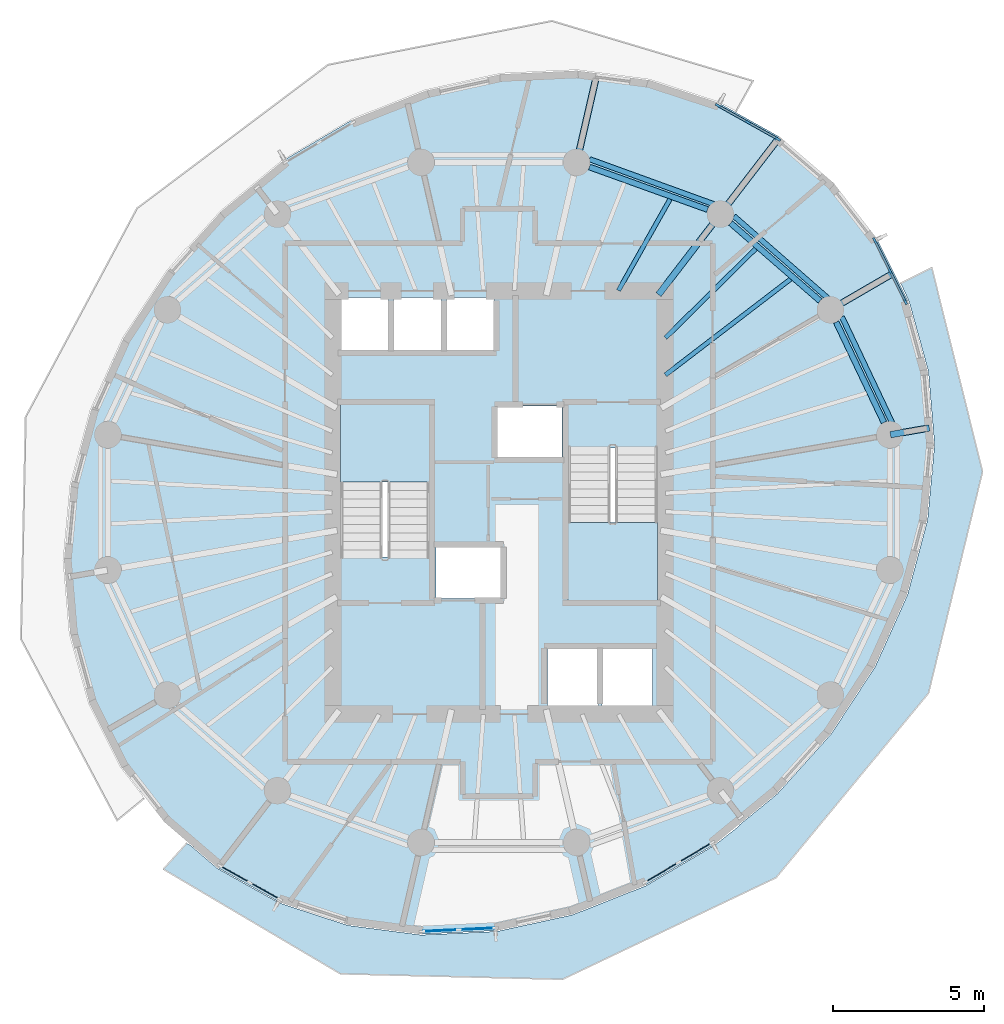
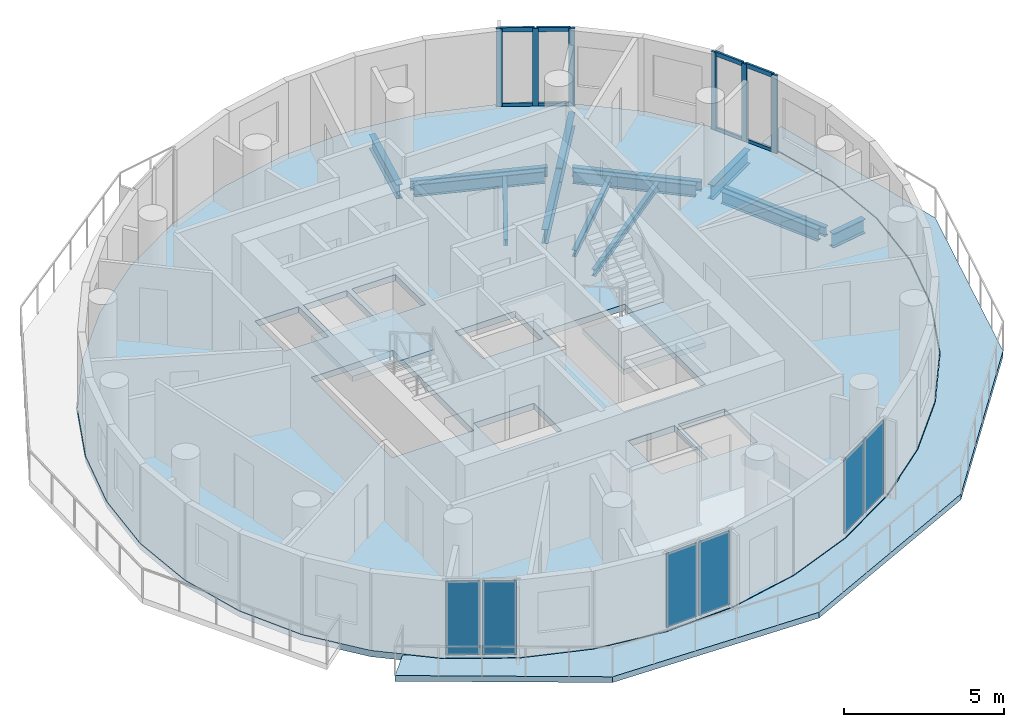
# One storey, part 3 of 10: 14 beams, 14 members, 6 plates, 4 slabs, 7 elements without a shape of their own.
"""IFC4 building model written with IfcOpenShell, lengths in metres."""

from ifc_helpers import new_model, si_unit, direction, frame, origin, origin_2d, place, context, subcontext, project, spatial, polyline, rectangle, i_section, outline, extrude, material, layer, layer_set, material_profile, profile_set, type_object, element, aggregate, save


model = new_model("IFC4")

# Units and contexts
model_context = context("Model", 3, precision=1e-05, world=origin(), true_north=direction((0.0, 1.0)))
body_context = subcontext(model_context, "Body", "Model", "MODEL_VIEW")
ifc_project = project(units=[si_unit("LENGTHUNIT", "METRE"), si_unit("AREAUNIT", "SQUARE_METRE"), si_unit("VOLUMEUNIT", "CUBIC_METRE"), si_unit("PLANEANGLEUNIT", "RADIAN"), si_unit("MASSUNIT", "GRAM", prefix="KILO")], contexts=[model_context])

# Site, building, storey
site_placement = place(None, origin())
site = spatial("IfcSite", under=ifc_project, at=site_placement, CompositionType="ELEMENT")
building_placement = place(site_placement, origin())
building = spatial("IfcBuilding", under=site, at=building_placement, Name="Veldorim Arch Residences", CompositionType="ELEMENT")
storey_placement = place(building_placement, frame((0.0, 0.0, 182.239990234375)))
storey = spatial("IfcBuildingStorey", under=building, at=storey_placement, Name="L54", CompositionType="ELEMENT", Elevation=182.239990234375)

# Beams
ifc_material_1 = material(Name="Steel S355", Category="steel")
ifc_material_profile_1 = material_profile(ifc_material_1, i_section(OverallWidth=0.2119140625, OverallDepth=0.54443359375, WebThickness=0.0126953125, FlangeThickness=0.021240234375, at=origin_2d()), Name="UB533x210x122")
ifc_profile_set_1 = profile_set([ifc_material_profile_1], Name="Steel S355")
beam_type_1 = type_object("IfcBeamType", Name="Structural Steel Beam UB533x210x122", PredefinedType="BEAM", material=ifc_profile_set_1)
beam_1_placement = place(storey_placement, frame((44.966064453125, 26.242919921875, -0.51220703125), z_axis=(0.985349902199, 0.170544921461, 0.0), x_axis=(-0.170544921461, 0.985349902199, 0.0)))
element("IfcBeam", 1, at=beam_1_placement, inside=storey, type_object=beam_type_1, Name="L54 radial edge cantilever girder 01", PredefinedType="BEAM", context=body_context, shape_type="SweptSolid", body=[
    extrude(i_section(OverallWidth=0.2119140625, OverallDepth=0.54443359375, WebThickness=0.0126953125, FlangeThickness=0.021240234375, at=origin_2d()), origin(), (0.0, 0.0, 1.0), 1.306884765625),
])
beam_2_placement = place(storey_placement, frame((42.99267578125, 30.387939453125, -0.51220703125), z_axis=(0.86459242159, 0.50247382472, 0.0), x_axis=(-0.50247382472, 0.86459242159, 0.0)))
element("IfcBeam", 2, at=beam_2_placement, inside=storey, type_object=beam_type_1, Name="L54 radial edge cantilever girder 02", PredefinedType="BEAM", context=body_context, shape_type="SweptSolid", body=[
    extrude(i_section(OverallWidth=0.2119140625, OverallDepth=0.54443359375, WebThickness=0.0126953125, FlangeThickness=0.021240234375, at=origin_2d()), origin(), (0.0, 0.0, 1.0), 2.315185546875),
])
beam_3_placement = place(storey_placement, frame((37.28662109375, 30.881103515625, -0.51220703125), z_axis=(0.609258442308, 0.792971721108, 0.0), x_axis=(-0.792971721108, 0.609258442308, 0.0)))
element("IfcBeam", 3, at=beam_3_placement, inside=storey, type_object=beam_type_1, Name="L54 radial floor girder 03", PredefinedType="BEAM", context=body_context, shape_type="SweptSolid", body=[
    extrude(i_section(OverallWidth=0.2119140625, OverallDepth=0.54443359375, WebThickness=0.0126953125, FlangeThickness=0.021240234375, at=origin_2d()), origin(), (0.0, 0.0, 1.0), 3.339599609375),
])
beam_4_placement = place(storey_placement, frame((39.345703125, 33.561279296875, -0.51220703125), z_axis=(0.609273468497, 0.792960175914, 0.0), x_axis=(-0.792960175914, 0.609273468497, 0.0)))
element("IfcBeam", 4, at=beam_4_placement, inside=storey, type_object=beam_type_1, Name="L54 radial edge cantilever girder 03", PredefinedType="BEAM", context=body_context, shape_type="SweptSolid", body=[
    extrude(i_section(OverallWidth=0.2119140625, OverallDepth=0.54443359375, WebThickness=0.0126953125, FlangeThickness=0.021240234375, at=origin_2d()), origin(), (0.0, 0.0, 1.0), 3.103515625),
])
beam_5_placement = place(storey_placement, frame((34.57958984375, 35.27880859375, -0.51220703125), z_axis=(0.222932038034, 0.974833989158, 0.0), x_axis=(-0.974833989158, 0.222932038034, 0.0)))
element("IfcBeam", 5, at=beam_5_placement, inside=storey, type_object=beam_type_1, Name="L54 radial edge cantilever girder 04", PredefinedType="BEAM", context=body_context, shape_type="SweptSolid", body=[
    extrude(i_section(OverallWidth=0.2119140625, OverallDepth=0.54443359375, WebThickness=0.0126953125, FlangeThickness=0.021240234375, at=origin_2d()), origin(), (0.0, 0.0, 1.0), 2.9052734375),
])
ifc_material_2 = material(Name="Steel S355", Category="steel")
ifc_material_profile_2 = material_profile(ifc_material_2, i_section(OverallWidth=0.146484375, OverallDepth=0.256103515625, WebThickness=0.00634765625, FlangeThickness=0.010986328125, at=origin_2d()), Name="UB254x146x37")
ifc_profile_set_2 = profile_set([ifc_material_profile_2], Name="Steel S355")
beam_type_2 = type_object("IfcBeamType", Name="Structural Steel Joist UB254x146x37", PredefinedType="JOIST", material=ifc_profile_set_2)
beam_6_placement = place(storey_placement, frame((37.515869140625, 28.222900390625, -0.367919921875), z_axis=(0.794013672216, 0.607899899929, 0.0), x_axis=(-0.607899899929, 0.794013672216, 0.0)))
element("IfcBeam", 6, at=beam_6_placement, inside=storey, type_object=beam_type_2, Name="L54 secondary radial floor joist 02-1", PredefinedType="JOIST", context=body_context, shape_type="SweptSolid", body=[
    extrude(i_section(OverallWidth=0.146484375, OverallDepth=0.256103515625, WebThickness=0.00634765625, FlangeThickness=0.010986328125, at=origin_2d()), origin(), (0.0, 0.0, 1.0), 5.217041015625),
])
beam_7_placement = place(storey_placement, frame((37.51416015625, 29.44775390625, -0.367919921875), z_axis=(0.711396725432, 0.702790650937, 0.0), x_axis=(-0.702790650937, 0.711396725432, 0.0)))
element("IfcBeam", 7, at=beam_7_placement, inside=storey, type_object=beam_type_2, Name="L54 secondary radial floor joist 02-2", PredefinedType="JOIST", context=body_context, shape_type="SweptSolid", body=[
    extrude(i_section(OverallWidth=0.146484375, OverallDepth=0.256103515625, WebThickness=0.00634765625, FlangeThickness=0.010986328125, at=origin_2d()), origin(), (0.0, 0.0, 1.0), 4.198486328125),
])
beam_8_placement = place(storey_placement, frame((35.960205078125, 31.017333984375, -0.367919921875), z_axis=(0.491452469585, 0.870904397818, 0.0), x_axis=(-0.870904397818, 0.491452469585, 0.0)))
element("IfcBeam", 8, at=beam_8_placement, inside=storey, type_object=beam_type_2, Name="L54 secondary radial floor joist 03-1", PredefinedType="JOIST", context=body_context, shape_type="SweptSolid", body=[
    extrude(i_section(OverallWidth=0.146484375, OverallDepth=0.256103515625, WebThickness=0.00634765625, FlangeThickness=0.010986328125, at=origin_2d()), origin(), (0.0, 0.0, 1.0), 3.472412109375),
])
ifc_material_3 = material(Name="Steel S355", Category="steel")
ifc_material_profile_3 = material_profile(ifc_material_3, i_section(OverallWidth=0.172119140625, OverallDepth=0.35791015625, WebThickness=0.008056640625, FlangeThickness=0.012939453125, at=origin_2d()), Name="UB356x171x57")
ifc_profile_set_3 = profile_set([ifc_material_profile_3], Name="Steel S355")
beam_type_3 = type_object("IfcBeamType", Name="Structural Steel Spandrel UB356x171x57", PredefinedType="SPANDREL", material=ifc_profile_set_3)
beam_9_placement = place(storey_placement, frame((45.0205078125, 26.6396484375, -0.43896484375), z_axis=(-0.428408308939, 0.903585259304, 0.0), x_axis=(-0.903585259304, -0.428408308939, 0.0)))
element("IfcBeam", 9, at=beam_9_placement, inside=storey, type_object=beam_type_3, Name="L54 perimeter chord spandrel beam 01", PredefinedType="SPANDREL", context=body_context, shape_type="SweptSolid", body=[
    extrude(i_section(OverallWidth=0.172119140625, OverallDepth=0.35791015625, WebThickness=0.008056640625, FlangeThickness=0.012939453125, at=origin_2d()), origin(), (0.0, 0.0, 1.0), 3.878662109375),
])
beam_10_placement = place(storey_placement, frame((42.891357421875, 30.762939453125, -0.43896484375), z_axis=(-0.752847646119, 0.6581948205, 0.0), x_axis=(-0.6581948205, -0.752847646119, 0.0)))
element("IfcBeam", 10, at=beam_10_placement, inside=storey, type_object=beam_type_3, Name="L54 perimeter chord spandrel beam 02", PredefinedType="SPANDREL", context=body_context, shape_type="SweptSolid", body=[
    extrude(i_section(OverallWidth=0.172119140625, OverallDepth=0.35791015625, WebThickness=0.008056640625, FlangeThickness=0.012939453125, at=origin_2d()), origin(), (0.0, 0.0, 1.0), 4.12939453125),
])
beam_11_placement = place(storey_placement, frame((39.112060546875, 33.87646484375, -0.43896484375), z_axis=(-0.940164695555, 0.340720332871, 0.0), x_axis=(-0.340720332871, -0.940164695555, 0.0)))
element("IfcBeam", 11, at=beam_11_placement, inside=storey, type_object=beam_type_3, Name="L54 perimeter chord spandrel beam 03", PredefinedType="SPANDREL", context=body_context, shape_type="SweptSolid", body=[
    extrude(i_section(OverallWidth=0.172119140625, OverallDepth=0.35791015625, WebThickness=0.008056640625, FlangeThickness=0.012939453125, at=origin_2d()), origin(), (0.0, 0.0, 1.0), 4.370849609375),
])
ifc_material_4 = material(Name="Steel S355", Category="steel")
ifc_material_profile_4 = material_profile(ifc_material_4, i_section(OverallWidth=0.19140625, OverallDepth=0.4599609375, WebThickness=0.010009765625, FlangeThickness=0.01611328125, at=origin_2d()), Name="UB457x191x82")
ifc_profile_set_4 = profile_set([ifc_material_profile_4], Name="Steel S355")
beam_type_4 = type_object("IfcBeamType", Name="Structural Steel Spandrel UB457x191x82", PredefinedType="SPANDREL", material=ifc_profile_set_4)
beam_12_placement = place(storey_placement, frame((44.7529296875, 26.64599609375, -0.469970703125), z_axis=(-0.430005613988, 0.902826213586, 0.0), x_axis=(-0.902826213586, -0.430005613988, 0.0)))
element("IfcBeam", 12, at=beam_12_placement, inside=storey, type_object=beam_type_4, Name="L54 perimeter ring tie beam 01", PredefinedType="SPANDREL", context=body_context, shape_type="SweptSolid", body=[
    extrude(i_section(OverallWidth=0.19140625, OverallDepth=0.4599609375, WebThickness=0.010009765625, FlangeThickness=0.01611328125, at=origin_2d()), origin(), (0.0, 0.0, 1.0), 3.68359375),
])
beam_13_placement = place(storey_placement, frame((42.635986328125, 30.673095703125, -0.469970703125), z_axis=(-0.754545285701, 0.656247980436, 0.0), x_axis=(-0.656247980436, -0.754545285701, 0.0)))
element("IfcBeam", 13, at=beam_13_placement, inside=storey, type_object=beam_type_4, Name="L54 perimeter ring tie beam 02", PredefinedType="SPANDREL", context=body_context, shape_type="SweptSolid", body=[
    extrude(i_section(OverallWidth=0.19140625, OverallDepth=0.4599609375, WebThickness=0.010009765625, FlangeThickness=0.01611328125, at=origin_2d()), origin(), (0.0, 0.0, 1.0), 3.9267578125),
])
beam_14_placement = place(storey_placement, frame((38.91015625, 33.69775390625, -0.469970703125), z_axis=(-0.940811035395, 0.338931550137, 0.0), x_axis=(-0.338931550137, -0.940811035395, 0.0)))
element("IfcBeam", 14, at=beam_14_placement, inside=storey, type_object=beam_type_4, Name="L54 perimeter ring tie beam 03", PredefinedType="SPANDREL", context=body_context, shape_type="SweptSolid", body=[
    extrude(i_section(OverallWidth=0.19140625, OverallDepth=0.4599609375, WebThickness=0.010009765625, FlangeThickness=0.01611328125, at=origin_2d()), origin(), (0.0, 0.0, 1.0), 4.15771484375),
])

# Curtain wall, members
ifc_material_5 = material(Name="Aluminium", Category="aluminium")
curtain_wall_type = type_object("IfcCurtainWallType", Name="Zone 4 High-Altitude Unitised Curtain Wall", PredefinedType="NOTDEFINED", material=ifc_material_5)
curtain_wall_1_placement = place(storey_placement, origin())
curtain_wall_1 = element("IfcCurtainWall", 15, at=curtain_wall_1_placement, inside=storey, type_object=curtain_wall_type, Name="L54 unitised curtain wall bay 02", PredefinedType="NOTDEFINED")
ifc_material_6 = material(Name="Aluminium", Category="aluminium")
ifc_material_profile_5 = material_profile(ifc_material_6, rectangle(XDim=0.074951171875, YDim=0.195068359375, at=origin_2d()), Name="ALU_MUL_75x195")
ifc_profile_set_5 = profile_set([ifc_material_profile_5], Name="Aluminium")
member_type_1 = type_object("IfcMemberType", Name="Zone 4 High-Altitude Unitised Curtain Wall Mullion 75x195", PredefinedType="MULLION", material=ifc_profile_set_5)
member_1_placement = place(storey_placement, frame((39.25390625, 37.14013671875, 0.0), z_axis=(0.0, 0.0, 1.0), x_axis=(0.487736356175, 0.872990977539, 0.0)))
member_1 = element("IfcMember", 16, at=member_1_placement, type_object=member_type_1, Name="CW-Z4 mullion 1", PredefinedType="MULLION", context=body_context, shape_type="SweptSolid", body=[
    extrude(rectangle(XDim=0.074951171875, YDim=0.195068359375, at=origin_2d()), origin(), (0.0, 0.0, 1.0), 2.9599609375),
])
member_2_placement = place(storey_placement, frame((40.24560546875, 36.586181640625, 0.0), z_axis=(0.0, 0.0, 1.0), x_axis=(0.487736356175, 0.872990977539, 0.0)))
member_2 = element("IfcMember", 17, at=member_2_placement, type_object=member_type_1, Name="CW-Z4 mullion 2", PredefinedType="MULLION", context=body_context, shape_type="SweptSolid", body=[
    extrude(rectangle(XDim=0.074951171875, YDim=0.195068359375, at=origin_2d()), origin(), (0.0, 0.0, 1.0), 2.9599609375),
])
member_3_placement = place(storey_placement, frame((41.237060546875, 36.0322265625, 0.0), z_axis=(0.0, 0.0, 1.0), x_axis=(0.487736356175, 0.872990977539, 0.0)))
member_3 = element("IfcMember", 18, at=member_3_placement, type_object=member_type_1, Name="CW-Z4 mullion 3", PredefinedType="MULLION", context=body_context, shape_type="SweptSolid", body=[
    extrude(rectangle(XDim=0.074951171875, YDim=0.195068359375, at=origin_2d()), origin(), (0.0, 0.0, 1.0), 2.9599609375),
])

curtain_wall_2_placement = place(storey_placement, origin())
curtain_wall_2 = element("IfcCurtainWall", 19, at=curtain_wall_2_placement, inside=storey, type_object=curtain_wall_type, Name="L54 unitised curtain wall bay 35", PredefinedType="NOTDEFINED")
member_4_placement = place(storey_placement, frame((44.445068359375, 32.673095703125, 0.0), z_axis=(0.0, 0.0, 1.0), x_axis=(0.894537952804, 0.446992003276, 0.0)))
member_4 = element("IfcMember", 20, at=member_4_placement, type_object=member_type_1, Name="CW-Z4 mullion 1", PredefinedType="MULLION", context=body_context, shape_type="SweptSolid", body=[
    extrude(rectangle(XDim=0.074951171875, YDim=0.195068359375, at=origin_2d()), origin(), (0.0, 0.0, 1.0), 2.9599609375),
])
member_5_placement = place(storey_placement, frame((44.95263671875, 31.656982421875, 0.0), z_axis=(0.0, 0.0, 1.0), x_axis=(0.894537952804, 0.446992003276, 0.0)))
member_5 = element("IfcMember", 21, at=member_5_placement, type_object=member_type_1, Name="CW-Z4 mullion 2", PredefinedType="MULLION", context=body_context, shape_type="SweptSolid", body=[
    extrude(rectangle(XDim=0.074951171875, YDim=0.195068359375, at=origin_2d()), origin(), (0.0, 0.0, 1.0), 2.9599609375),
])
member_6_placement = place(storey_placement, frame((45.46044921875, 30.640869140625, 0.0), z_axis=(0.0, 0.0, 1.0), x_axis=(0.894537952804, 0.446992003276, 0.0)))
member_6 = element("IfcMember", 22, at=member_6_placement, type_object=member_type_1, Name="CW-Z4 mullion 3", PredefinedType="MULLION", context=body_context, shape_type="SweptSolid", body=[
    extrude(rectangle(XDim=0.074951171875, YDim=0.195068359375, at=origin_2d()), origin(), (0.0, 0.0, 1.0), 2.9599609375),
])

# Member
ifc_material_7 = material(Name="Aluminium", Category="aluminium")
ifc_material_profile_6 = material_profile(ifc_material_7, rectangle(XDim=0.074951171875, YDim=0.1650390625, at=origin_2d()), Name="ALU_TRN_75x165")
ifc_profile_set_6 = profile_set([ifc_material_profile_6], Name="Aluminium")
member_type_2 = type_object("IfcMemberType", Name="Zone 4 High-Altitude Unitised Curtain Wall Transom 75x165", PredefinedType="USERDEFINED", material=ifc_profile_set_6)
member_7_placement = place(storey_placement, frame((39.28662109375, 37.121826171875, 0.03759765625), z_axis=(0.873058743118, -0.487615043929, 0.0), x_axis=(0.487615043929, 0.873058743118, 0.0)))
member_7 = element("IfcMember", 23, at=member_7_placement, type_object=member_type_2, Name="CW-Z4 transom 1.1", ObjectType="TRANSOM", PredefinedType="USERDEFINED", context=body_context, shape_type="SweptSolid", body=[
    extrude(rectangle(XDim=0.074951171875, YDim=0.1650390625, at=origin_2d()), origin(), (0.0, 0.0, 1.0), 1.06103515625),
])

member_8_placement = place(storey_placement, frame((39.28662109375, 37.121826171875, 2.922607421875), z_axis=(0.873058743118, -0.487615043929, 0.0), x_axis=(0.487615043929, 0.873058743118, 0.0)))
member_8 = element("IfcMember", 24, at=member_8_placement, type_object=member_type_2, Name="CW-Z4 transom 1.2", ObjectType="TRANSOM", PredefinedType="USERDEFINED", context=body_context, shape_type="SweptSolid", body=[
    extrude(rectangle(XDim=0.074951171875, YDim=0.1650390625, at=origin_2d()), origin(), (0.0, 0.0, 1.0), 1.06103515625),
])

member_9_placement = place(storey_placement, frame((40.2783203125, 36.56787109375, 0.03759765625), z_axis=(0.87300401239, -0.487713024586, 0.0), x_axis=(0.487713024586, 0.87300401239, 0.0)))
member_9 = element("IfcMember", 25, at=member_9_placement, type_object=member_type_2, Name="CW-Z4 transom 2.1", ObjectType="TRANSOM", PredefinedType="USERDEFINED", context=body_context, shape_type="SweptSolid", body=[
    extrude(rectangle(XDim=0.074951171875, YDim=0.1650390625, at=origin_2d()), origin(), (0.0, 0.0, 1.0), 1.060791015625),
])

member_10_placement = place(storey_placement, frame((40.2783203125, 36.56787109375, 2.922607421875), z_axis=(0.87300401239, -0.487713024586, 0.0), x_axis=(0.487713024586, 0.87300401239, 0.0)))
member_10 = element("IfcMember", 26, at=member_10_placement, type_object=member_type_2, Name="CW-Z4 transom 2.2", ObjectType="TRANSOM", PredefinedType="USERDEFINED", context=body_context, shape_type="SweptSolid", body=[
    extrude(rectangle(XDim=0.074951171875, YDim=0.1650390625, at=origin_2d()), origin(), (0.0, 0.0, 1.0), 1.060791015625),
])

aggregate(curtain_wall_1, [member_1, member_2, member_3, member_7, member_8, member_9, member_10])

member_11_placement = place(storey_placement, frame((44.461669921875, 32.6396484375, 0.03759765625), z_axis=(0.447121545464, -0.894473210097, 0.0), x_axis=(0.894473210097, 0.447121545464, 0.0)))
member_11 = element("IfcMember", 27, at=member_11_placement, type_object=member_type_2, Name="CW-Z4 transom 1.1", ObjectType="TRANSOM", PredefinedType="USERDEFINED", context=body_context, shape_type="SweptSolid", body=[
    extrude(rectangle(XDim=0.074951171875, YDim=0.1650390625, at=origin_2d()), origin(), (0.0, 0.0, 1.0), 1.06103515625),
])

member_12_placement = place(storey_placement, frame((44.461669921875, 32.6396484375, 2.922607421875), z_axis=(0.447121545464, -0.894473210097, 0.0), x_axis=(0.894473210097, 0.447121545464, 0.0)))
member_12 = element("IfcMember", 28, at=member_12_placement, type_object=member_type_2, Name="CW-Z4 transom 1.2", ObjectType="TRANSOM", PredefinedType="USERDEFINED", context=body_context, shape_type="SweptSolid", body=[
    extrude(rectangle(XDim=0.074951171875, YDim=0.1650390625, at=origin_2d()), origin(), (0.0, 0.0, 1.0), 1.06103515625),
])

member_13_placement = place(storey_placement, frame((44.969482421875, 31.62353515625, 0.03759765625), z_axis=(0.446937402769, -0.89456523407, 0.0), x_axis=(0.89456523407, 0.446937402769, 0.0)))
member_13 = element("IfcMember", 29, at=member_13_placement, type_object=member_type_2, Name="CW-Z4 transom 2.1", ObjectType="TRANSOM", PredefinedType="USERDEFINED", context=body_context, shape_type="SweptSolid", body=[
    extrude(rectangle(XDim=0.074951171875, YDim=0.1650390625, at=origin_2d()), origin(), (0.0, 0.0, 1.0), 1.060791015625),
])

member_14_placement = place(storey_placement, frame((44.969482421875, 31.62353515625, 2.922607421875), z_axis=(0.446937402769, -0.89456523407, 0.0), x_axis=(0.89456523407, 0.446937402769, 0.0)))
member_14 = element("IfcMember", 30, at=member_14_placement, type_object=member_type_2, Name="CW-Z4 transom 2.2", ObjectType="TRANSOM", PredefinedType="USERDEFINED", context=body_context, shape_type="SweptSolid", body=[
    extrude(rectangle(XDim=0.074951171875, YDim=0.1650390625, at=origin_2d()), origin(), (0.0, 0.0, 1.0), 1.060791015625),
])

aggregate(curtain_wall_2, [member_4, member_5, member_6, member_11, member_12, member_13, member_14])

# Slab
ifc_material_8 = material(Name="Concrete C40/50", Category="concrete")
ifc_layer_1 = layer(ifc_material_8, 0.219970703125, Name="Planted Crescent Cantilever Balcony Slab 220")
ifc_layer_set_1 = layer_set([ifc_layer_1], Name="Concrete C40/50")
slab_type_1 = type_object("IfcSlabType", Name="Planted Crescent Cantilever Balcony Slab 220", PredefinedType="FLOOR", material=ifc_layer_set_1)
slab_1_placement = place(storey_placement, frame((0.0, 0.0, -0.219970703125)))
element("IfcSlab", 31, at=slab_1_placement, inside=storey, type_object=slab_type_1, Name="L54 planted crescent balcony slab B", PredefinedType="FLOOR", context=body_context, shape_type="SweptSolid", body=[
    extrude(outline(polyline([(21.7763671875, 12.65380859375), (22.671875, 11.886962890625), (24.724853515625, 10.739990234375), (26.998779296875, 9.99609375), (29.424560546875, 9.677734375), (31.928466796875, 9.794677734375), (34.434326171875, 10.34326171875), (36.865966796875, 11.306640625), (39.14990234375, 12.6552734375), (39.906494140625, 13.247314453125), (39.985595703125, 13.340087890625), (41.216552734375, 14.348876953125), (43.00341796875, 16.335205078125), (44.455810546875, 18.554443359375), (45.530029296875, 20.939208984375), (46.193603515625, 23.417236328125), (46.331298828125, 24.897216796875), (46.367431640625, 25.01806640625), (46.351318359375, 25.11279296875), (46.42578125, 25.912841796875), (46.219482421875, 28.350830078125), (45.5810546875, 30.656494140625), (45.3046875, 31.2578125), (46.333984375, 31.7705078125), (48.014892578125, 25.020263671875), (46.223388671875, 17.680419921875), (41.178466796875, 11.576171875), (34.107421875, 8.210205078125), (26.752685546875, 8.3916015625), (20.890625, 11.85595703125), (21.658935546875, 12.711669921875), (21.7763671875, 12.65380859375)])), origin(), (0.0, 0.0, 1.0), 0.219970703125),
])

# Stair, slab
ifc_material_9 = material(Name="Concrete C40/50", Category="concrete")
stair_type = type_object("IfcStairType", Name="Reinforced Concrete Dogleg Exit Staircase", PredefinedType="HALF_TURN_STAIR", material=ifc_material_9)
stair_1_placement = place(storey_placement, origin())
stair_1 = element("IfcStair", 32, at=stair_1_placement, inside=storey, type_object=stair_type, Name="L54 Exit Staircase ST-1", PredefinedType="HALF_TURN_STAIR")
ifc_material_10 = material(Name="Concrete C40/50", Category="concrete")
ifc_layer_2 = layer(ifc_material_10, 0.199951171875, Name="Reinforced Concrete Stair Landing 200")
ifc_layer_set_2 = layer_set([ifc_layer_2], Name="Concrete C40/50")
slab_type_2 = type_object("IfcSlabType", Name="Reinforced Concrete Stair Landing 200", PredefinedType="LANDING", material=ifc_layer_set_2)
slab_2_placement = place(storey_placement, frame((0.0, 0.0, 1.39990234375)))
slab_2 = element("IfcSlab", 33, at=slab_2_placement, type_object=slab_type_2, Name="ST-1 landing 1", PredefinedType="LANDING", context=body_context, shape_type="SweptSolid", body=[
    extrude(outline(polyline([(29.7099609375, 24.669921875), (29.7099609375, 27.25), (26.75, 27.25), (26.75, 24.669921875), (29.7099609375, 24.669921875)])), origin(), (0.0, 0.0, 1.0), 0.2001953125),
])
aggregate(stair_1, [slab_2])

stair_2_placement = place(storey_placement, origin())
stair_2 = element("IfcStair", 34, at=stair_2_placement, inside=storey, type_object=stair_type, Name="L54 Exit Staircase ST-2", PredefinedType="HALF_TURN_STAIR")
slab_3_placement = place(storey_placement, frame((0.0, 0.0, 1.39990234375)))
slab_3 = element("IfcSlab", 35, at=slab_3_placement, type_object=slab_type_2, Name="ST-2 landing 1", PredefinedType="LANDING", context=body_context, shape_type="SweptSolid", body=[
    extrude(outline(polyline([(34.2900390625, 23.330078125), (34.2900390625, 20.75), (37.25, 20.75), (37.25, 23.330078125), (34.2900390625, 23.330078125)])), origin(), (0.0, 0.0, 1.0), 0.2001953125),
])
aggregate(stair_2, [slab_3])

# Slab
ifc_material_11 = material(Name="Concrete C40/50", Category="concrete")
ifc_layer_3 = layer(ifc_material_11, 0.239990234375, Name="Typical Residential Floor Slab 240")
ifc_layer_set_3 = layer_set([ifc_layer_3], Name="Concrete C40/50")
slab_type_3 = type_object("IfcSlabType", Name="Typical Residential Floor Slab 240", PredefinedType="FLOOR", material=ifc_layer_set_3)
slab_4_placement = place(storey_placement, frame((0.0, 0.0, -0.239990234375)))
element("IfcSlab", 36, at=slab_4_placement, inside=storey, type_object=slab_type_3, Name="L54 tower structural floor slab", PredefinedType="FLOOR", context=body_context, shape_type="SweptSolid", body=[
    extrude(outline(polyline([(43.07958984375, 34.58056640625), (41.313720703125, 36.092529296875), (39.26513671875, 37.237060546875), (36.99560546875, 37.9794921875), (34.57421875, 38.297119140625), (32.07470703125, 38.180419921875), (29.572998046875, 37.6328125), (27.14501953125, 36.6708984375), (24.864501953125, 35.32421875), (22.80078125, 33.633056640625), (21.0166015625, 31.6494140625), (19.566162109375, 29.43359375), (18.493408203125, 27.05224609375), (17.831298828125, 24.578369140625), (17.599365234375, 22.0869140625), (17.80517578125, 19.653564453125), (18.4423828125, 17.352294921875), (19.4912109375, 15.253173828125), (20.92041015625, 13.41943359375), (22.686279296875, 11.907470703125), (24.73486328125, 10.762939453125), (27.00439453125, 10.0205078125), (29.42578125, 9.702880859375), (31.92529296875, 9.819580078125), (34.427001953125, 10.3671875), (36.85498046875, 11.3291015625), (39.135498046875, 12.67578125), (41.19921875, 14.366943359375), (42.9833984375, 16.3505859375), (44.433837890625, 18.56640625), (45.506591796875, 20.94775390625), (46.168701171875, 23.421630859375), (46.400634765625, 25.9130859375), (46.19482421875, 28.346435546875), (45.5576171875, 30.647705078125), (44.5087890625, 32.746826171875), (43.07958984375, 34.58056640625)]), holes=[polyline([(33.610107421875, 17.2099609375), (33.610107421875, 19.2900390625), (35.2900390625, 19.2900390625), (35.2900390625, 17.2099609375), (33.610107421875, 17.2099609375)]), polyline([(35.409912109375, 17.2099609375), (35.409912109375, 19.2900390625), (37.090087890625, 19.2900390625), (37.090087890625, 17.2099609375), (35.409912109375, 17.2099609375)]), polyline([(29.909912109375, 20.81494140625), (29.909912109375, 22.544921875), (32.090087890625, 22.544921875), (32.090087890625, 20.81494140625), (29.909912109375, 20.81494140625)]), polyline([(34.2900390625, 20.75), (34.2900390625, 25.804931640625), (37.25, 25.804931640625), (37.25, 20.75), (34.2900390625, 20.75)]), polyline([(26.75, 22.195068359375), (26.75, 27.25), (29.7099609375, 27.25), (29.7099609375, 22.195068359375), (26.75, 22.195068359375)]), polyline([(31.909912109375, 25.455078125), (31.909912109375, 27.18505859375), (34.090087890625, 27.18505859375), (34.090087890625, 25.455078125), (31.909912109375, 25.455078125)]), polyline([(26.760009765625, 28.909912109375), (26.760009765625, 30.7900390625), (28.340087890625, 30.7900390625), (28.340087890625, 28.909912109375), (26.760009765625, 28.909912109375)]), polyline([(28.510009765625, 30.7900390625), (30.090087890625, 30.7900390625), (30.090087890625, 28.909912109375), (28.510009765625, 28.909912109375), (28.510009765625, 30.7900390625)]), polyline([(30.260009765625, 30.7900390625), (31.840087890625, 30.7900390625), (31.840087890625, 28.909912109375), (30.260009765625, 28.909912109375), (30.260009765625, 30.7900390625)])]), origin(), (0.0, 0.0, 1.0), 0.239990234375),
])

# Curtain wall, plates
curtain_wall_3_placement = place(storey_placement, origin())
curtain_wall_3 = element("IfcCurtainWall", 37, at=curtain_wall_3_placement, inside=storey, type_object=curtain_wall_type, Name="L54 unitised curtain wall bay 20", PredefinedType="NOTDEFINED")
ifc_material_12 = material(Name="Laminated Low-E Glass", Category="glass")
ifc_layer_4 = layer(ifc_material_12, 0.030029296875, Name="Zone 4 High-Altitude Unitised Curtain Wall Glazing Panel 30")
ifc_layer_set_4 = layer_set([ifc_layer_4], Name="Laminated Low-E Glass")
plate_type = type_object("IfcPlateType", Name="Zone 4 High-Altitude Unitised Curtain Wall Glazing Panel 30", PredefinedType="CURTAIN_PANEL", material=ifc_layer_set_4)
plate_1_placement = place(storey_placement, frame((24.250244140625, 11.13671875, 0.074951171875), z_axis=(0.0, 0.0, 1.0), x_axis=(-0.872990977539, 0.487736356175, 0.0)))
plate_1 = element("IfcPlate", 38, at=plate_1_placement, type_object=plate_type, Name="CW-Z4 panel 1.1", PredefinedType="CURTAIN_PANEL", context=body_context, shape_type="SweptSolid", body=[
    extrude(rectangle(XDim=1.060791015625, YDim=0.030029296875, at=origin_2d()), origin(), (0.0, 0.0, 1.0), 2.81005859375),
])
plate_2_placement = place(storey_placement, frame((23.258544921875, 11.69091796875, 0.074951171875), z_axis=(0.0, 0.0, 1.0), x_axis=(-0.872990977539, 0.487736356175, 0.0)))
plate_2 = element("IfcPlate", 39, at=plate_2_placement, type_object=plate_type, Name="CW-Z4 panel 2.1", PredefinedType="CURTAIN_PANEL", context=body_context, shape_type="SweptSolid", body=[
    extrude(rectangle(XDim=1.060791015625, YDim=0.030029296875, at=origin_2d()), origin(), (0.0, 0.0, 1.0), 2.81005859375),
])
aggregate(curtain_wall_3, [plate_1, plate_2])

curtain_wall_4_placement = place(storey_placement, origin())
curtain_wall_4 = element("IfcCurtainWall", 40, at=curtain_wall_4_placement, inside=storey, type_object=curtain_wall_type, Name="L54 unitised curtain wall bay 23", PredefinedType="NOTDEFINED")
plate_3_placement = place(storey_placement, frame((31.27734375, 9.87939453125, 0.074951171875), z_axis=(0.0, 0.0, 1.0), x_axis=(-0.998909968962, -0.046678409438, 0.0)))
plate_3 = element("IfcPlate", 41, at=plate_3_placement, type_object=plate_type, Name="CW-Z4 panel 1.1", PredefinedType="CURTAIN_PANEL", context=body_context, shape_type="SweptSolid", body=[
    extrude(rectangle(XDim=1.138671875, YDim=0.030029296875, at=origin_2d()), origin(), (0.0, 0.0, 1.0), 2.81005859375),
])
plate_4_placement = place(storey_placement, frame((30.065185546875, 9.82275390625, 0.074951171875), z_axis=(0.0, 0.0, 1.0), x_axis=(-0.998909968962, -0.046678409438, 0.0)))
plate_4 = element("IfcPlate", 42, at=plate_4_placement, type_object=plate_type, Name="CW-Z4 panel 2.1", PredefinedType="CURTAIN_PANEL", context=body_context, shape_type="SweptSolid", body=[
    extrude(rectangle(XDim=1.138671875, YDim=0.030029296875, at=origin_2d()), origin(), (0.0, 0.0, 1.0), 2.81005859375),
])
aggregate(curtain_wall_4, [plate_3, plate_4])

curtain_wall_5_placement = place(storey_placement, origin())
curtain_wall_5 = element("IfcCurtainWall", 43, at=curtain_wall_5_placement, inside=storey, type_object=curtain_wall_type, Name="L54 unitised curtain wall bay 26", PredefinedType="NOTDEFINED")
plate_5_placement = place(storey_placement, frame((38.50341796875, 12.4072265625, 0.074951171875), z_axis=(0.0, 0.0, 1.0), x_axis=(-0.861053534494, -0.508514317139, 0.0)))
plate_5 = element("IfcPlate", 44, at=plate_5_placement, type_object=plate_type, Name="CW-Z4 panel 1.1", PredefinedType="CURTAIN_PANEL", context=body_context, shape_type="SweptSolid", body=[
    extrude(rectangle(XDim=1.211669921875, YDim=0.030029296875, at=origin_2d()), origin(), (0.0, 0.0, 1.0), 2.81005859375),
])
plate_6_placement = place(storey_placement, frame((37.3955078125, 11.7529296875, 0.074951171875), z_axis=(0.0, 0.0, 1.0), x_axis=(-0.861053534494, -0.508514317139, 0.0)))
plate_6 = element("IfcPlate", 45, at=plate_6_placement, type_object=plate_type, Name="CW-Z4 panel 2.1", PredefinedType="CURTAIN_PANEL", context=body_context, shape_type="SweptSolid", body=[
    extrude(rectangle(XDim=1.211669921875, YDim=0.030029296875, at=origin_2d()), origin(), (0.0, 0.0, 1.0), 2.81005859375),
])
aggregate(curtain_wall_5, [plate_5, plate_6])

save(model, "model.ifc")
